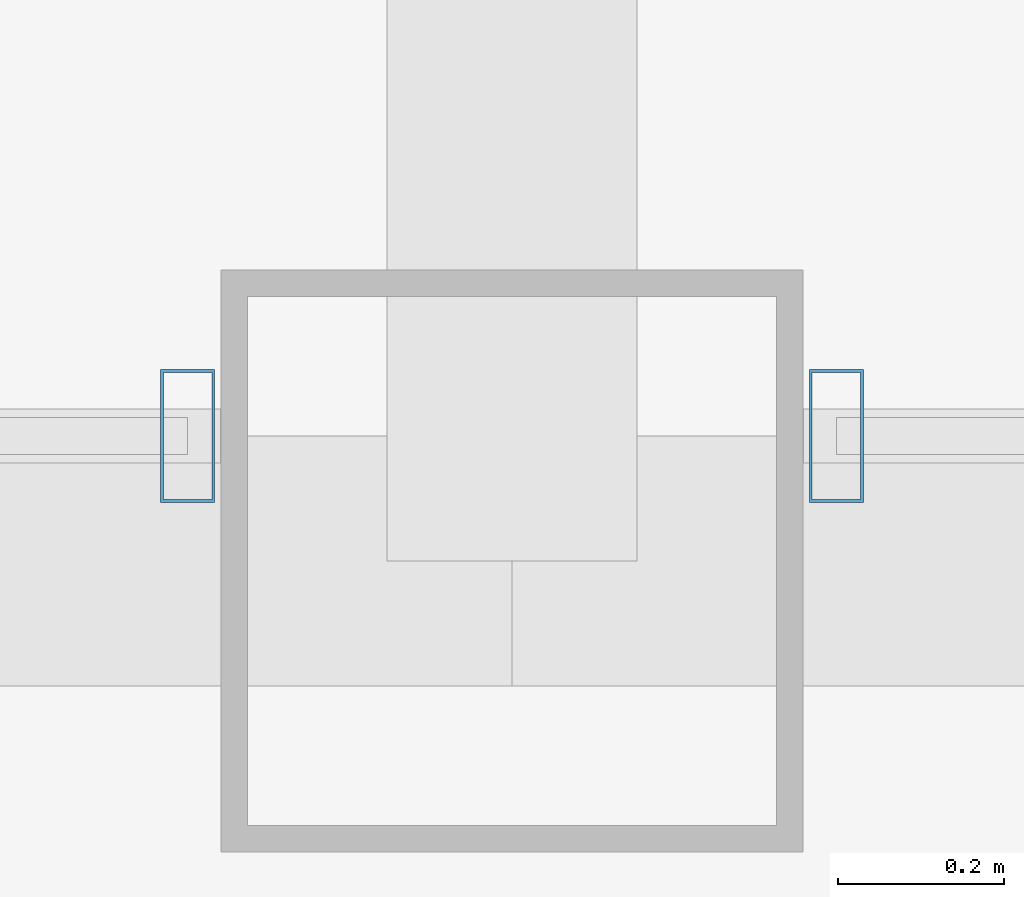
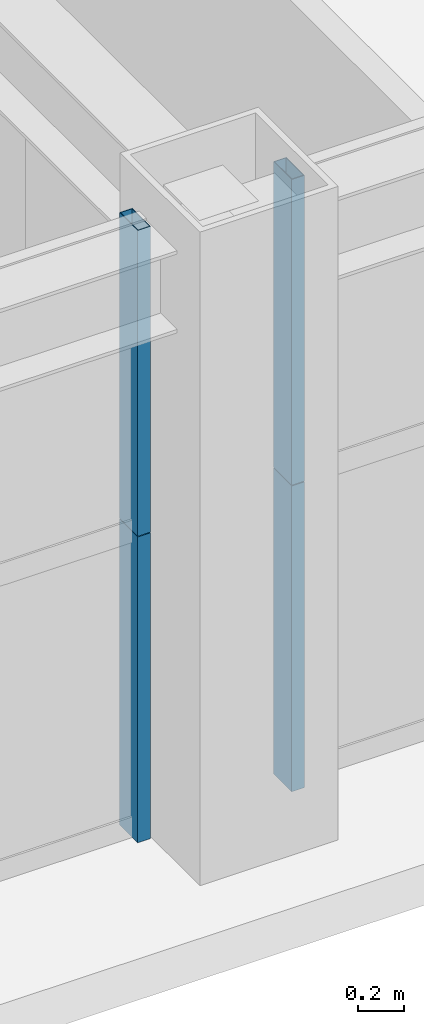
# One storey, part 9 of 37: 4 members, 2 elements without a shape of their own.
"""IFC4 building model written with IfcOpenShell, lengths in metres."""

from ifc_helpers import new_model, si_unit, direction, frame, origin, origin_2d, place, context, subcontext, project, spatial, hollow_rectangle, extrude, source, transform, mapped, material, layer, layer_set, material_profile, profile_set, type_object, element, aggregate, save


model = new_model("IFC4")

# Units and contexts
model_context = context("Model", 3, precision=1e-05, world=origin(), true_north=direction((0.0, 1.0)))
body_context = subcontext(model_context, "Body", "Model", "MODEL_VIEW")
ifc_project = project(units=[si_unit("LENGTHUNIT", "METRE"), si_unit("AREAUNIT", "SQUARE_METRE"), si_unit("VOLUMEUNIT", "CUBIC_METRE"), si_unit("PLANEANGLEUNIT", "RADIAN"), si_unit("MASSUNIT", "GRAM", prefix="KILO"), si_unit("THERMODYNAMICTEMPERATUREUNIT", "KELVIN"), si_unit("POWERUNIT", "WATT")], contexts=[model_context])

# Site, building, storey
site_placement = place(None, origin())
site = spatial("IfcSite", under=ifc_project, at=site_placement, CompositionType="ELEMENT")
building_placement = place(site_placement, origin())
building = spatial("IfcBuilding", under=site, at=building_placement, Name="Yuzanri Waterfront Tower", CompositionType="ELEMENT")
storey_placement = place(building_placement, frame((0.0, 0.0, 252.10009765625)))
storey = spatial("IfcBuildingStorey", under=building, at=storey_placement, Name="L67", CompositionType="ELEMENT", Elevation=252.10009765625)

# Curtain wall, members
ifc_material_1 = material(Name="Anodized Architectural Bronze", Category="metal")
ifc_layer = layer(ifc_material_1, 0.159912109375)
ifc_layer_set = layer_set([ifc_layer], Name="Anodized Architectural Bronze")
curtain_wall_type = type_object("IfcCurtainWallType", Name="Anodized Bronze Mid-Rise Residential Acoustic Unitized Curtain Wall 7200", PredefinedType="NOTDEFINED", material=ifc_layer_set)
curtain_wall_1_placement = place(storey_placement, origin())
curtain_wall_1 = element("IfcCurtainWall", 1, at=curtain_wall_1_placement, inside=storey, type_object=curtain_wall_type, Name="L67 Curtain Wall CW-L67-SL", PredefinedType="NOTDEFINED")
ifc_material_2 = material(Name="Anodized Architectural Bronze", Category="metal")
ifc_material_profile = material_profile(ifc_material_2, hollow_rectangle(XDim=0.06494140625, YDim=0.159912109375, WallThickness=0.00341796875, at=origin_2d()), Name="CWM 65x160")
ifc_profile_set = profile_set([ifc_material_profile], Name="Anodized Architectural Bronze")
member_type = type_object("IfcMemberType", Name="Anodized Bronze Upper-Zone Curtain-Wall Mullion 65x160", PredefinedType="MULLION", material=ifc_profile_set)
shared_shape = source(origin(), body_context, "Body", "SweptSolid", [
    extrude(hollow_rectangle(XDim=0.06494140625, YDim=0.159912109375, WallThickness=0.00341796875, at=origin_2d()), origin(), (0.0, 0.0, 1.0), 1.637939453125),
])
member_1_placement = place(storey_placement, frame((36.610107421875, 5.35009765625, 0.0), z_axis=(0.0, 0.0, 1.0), x_axis=(1.0, 0.0, 0.0)))
member_1 = element("IfcMember", 2, at=member_1_placement, type_object=member_type, Name="CW-L67-SL Lower Mullion 02", PredefinedType="MULLION", context=body_context, shape_type="MappedRepresentation", body=[
    mapped(shared_shape, transform((0.0, 0.0, 0.0), scale=1.0)),
])
member_2_placement = place(storey_placement, frame((36.610107421875, 5.35009765625, 1.641845703125), z_axis=(0.0, 0.0, 1.0), x_axis=(1.0, 0.0, 0.0)))
member_2 = element("IfcMember", 3, at=member_2_placement, type_object=member_type, Name="CW-L67-SL Upper Mullion 02", PredefinedType="MULLION", context=body_context, shape_type="MappedRepresentation", body=[
    mapped(shared_shape, transform((0.0, 0.0, 0.0), scale=1.0)),
])
aggregate(curtain_wall_1, [member_1, member_2])

curtain_wall_2_placement = place(storey_placement, origin())
curtain_wall_2 = element("IfcCurtainWall", 4, at=curtain_wall_2_placement, inside=storey, type_object=curtain_wall_type, Name="L67 Curtain Wall CW-L67-SR", PredefinedType="NOTDEFINED")
member_3_placement = place(storey_placement, frame((37.389892578125, 5.35009765625, 0.0), z_axis=(0.0, 0.0, 1.0), x_axis=(1.0, 0.0, 0.0)))
member_3 = element("IfcMember", 5, at=member_3_placement, type_object=member_type, Name="CW-L67-SR Lower Mullion 00", PredefinedType="MULLION", context=body_context, shape_type="MappedRepresentation", body=[
    mapped(shared_shape, transform((0.0, 0.0, 0.0), scale=1.0)),
])
member_4_placement = place(storey_placement, frame((37.389892578125, 5.35009765625, 1.641845703125), z_axis=(0.0, 0.0, 1.0), x_axis=(1.0, 0.0, 0.0)))
member_4 = element("IfcMember", 6, at=member_4_placement, type_object=member_type, Name="CW-L67-SR Upper Mullion 00", PredefinedType="MULLION", context=body_context, shape_type="MappedRepresentation", body=[
    mapped(shared_shape, transform((0.0, 0.0, 0.0), scale=1.0)),
])
aggregate(curtain_wall_2, [member_3, member_4])

save(model, "model.ifc")
